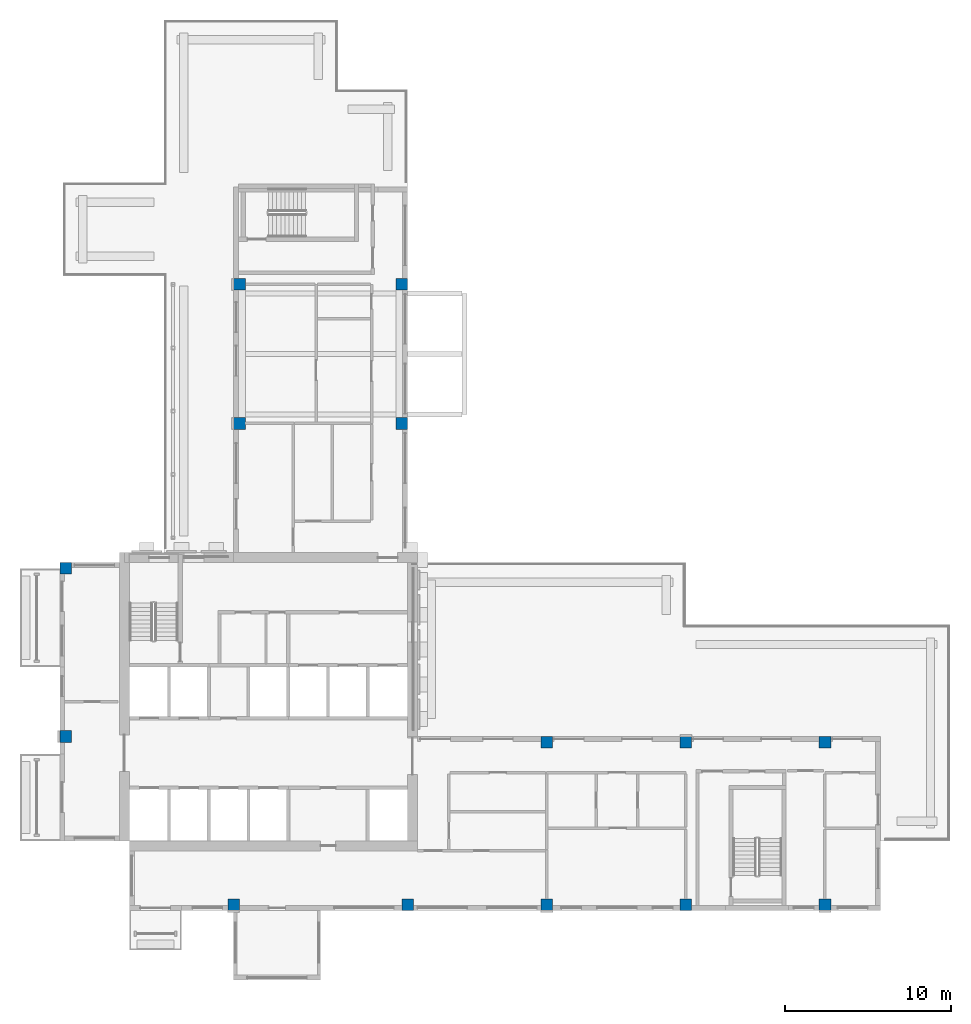
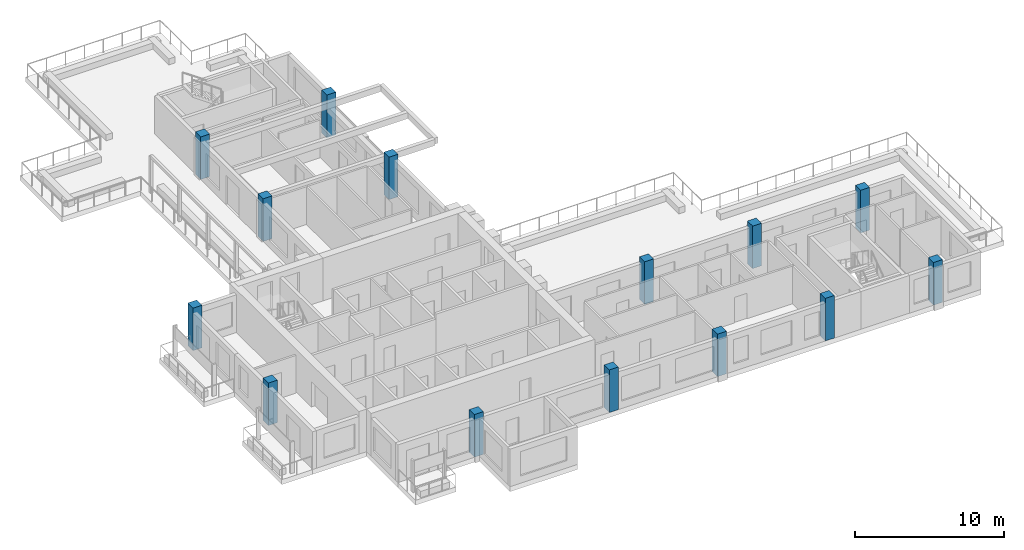
# One storey, part 1 of 12: 14 columns.
"""IFC4 building model written with IfcOpenShell, lengths in metres."""

from ifc_helpers import new_model, si_unit, direction, frame, origin, origin_2d, place, context, subcontext, project, spatial, rectangle, extrude, source, transform, mapped, material, material_profile, profile_set, type_object, element, save


model = new_model("IFC4")

# Units and contexts
model_context = context("Model", 3, precision=1e-05, world=origin(), true_north=direction((0.0, 1.0)))
body_context = subcontext(model_context, "Body", "Model", "MODEL_VIEW")
ifc_project = project(units=[si_unit("LENGTHUNIT", "METRE"), si_unit("AREAUNIT", "SQUARE_METRE"), si_unit("VOLUMEUNIT", "CUBIC_METRE"), si_unit("PLANEANGLEUNIT", "RADIAN"), si_unit("MASSUNIT", "GRAM", prefix="KILO")], contexts=[model_context])

# Site, building, storey
site_placement = place(None, origin())
site = spatial("IfcSite", under=ifc_project, at=site_placement, CompositionType="ELEMENT")
building_placement = place(site_placement, origin())
building = spatial("IfcBuilding", under=site, at=building_placement, Name="Aurelian Terraces", CompositionType="ELEMENT")
storey_placement = place(building_placement, frame((0.0, 0.0, 284.5)))
storey = spatial("IfcBuildingStorey", under=building, at=storey_placement, Name="L64", CompositionType="ELEMENT", Elevation=284.5)

# Columns
ifc_material = material(Name="Concrete fc' 55 MPa", Category="concrete")
ifc_material_profile = material_profile(ifc_material, rectangle(XDim=0.7, YDim=0.7, at=origin_2d()))
ifc_profile_set = profile_set([ifc_material_profile], Name="Concrete fc' 55 MPa")
column_type = type_object("IfcColumnType", Name="RC COLUMN 700X700 FC55", PredefinedType="COLUMN", material=ifc_profile_set)
column_placement = place(storey_placement, frame((10.5, 0.35, 0.0), z_axis=(0.0, 0.0, 1.0), x_axis=(1.0, 0.0, 0.0)))
element("IfcColumn", 1, at=column_placement, inside=storey, type_object=column_type, Name="Column 2/A L64", PredefinedType="COLUMN", context=body_context, shape_type="SweptSolid", body=[
    extrude(rectangle(XDim=0.7, YDim=0.7, at=origin_2d()), origin(), (0.0, 0.0, 1.0), 3.5),
])
shared_shape = source(origin(), body_context, "Body", "SweptSolid", [
    extrude(rectangle(XDim=0.7, YDim=0.7, at=origin_2d()), origin(), (0.0, 0.0, 1.0), 3.5),
])
for number, where, z_axis, x_axis, name in (
    (2, (21.0, 0.35, 0.0), (0.0, 0.0, 1.0), (1.0, 0.0, 0.0), "Column 3/A L64"),
    (3, (29.4, 0.35, 0.0), (0.0, 0.0, 1.0), (1.0, 0.0, 0.0), "Column 4/A L64"),
    (4, (37.8, 0.35, 0.0), (0.0, 0.0, 1.0), (1.0, 0.0, 0.0), "Column 5/A L64"),
    (5, (46.2, 0.35, 0.0), (0.0, 0.0, 1.0), (1.0, 0.0, 0.0), "Column 6/A L64"),
    (6, (0.35, 10.5, 0.0), (0.0, 0.0, 1.0), (1.0, 0.0, 0.0), "Column 1/B L64"),
    (7, (29.4, 10.15, 0.0), (0.0, 0.0, 1.0), (1.0, 0.0, 0.0), "Column 4/B L64"),
    (8, (37.8, 10.15, 0.0), (0.0, 0.0, 1.0), (1.0, 0.0, 0.0), "Column 5/B L64"),
    (9, (46.2, 10.15, 0.0), (0.0, 0.0, 1.0), (1.0, 0.0, 0.0), "Column 6/B L64"),
    (10, (0.35, 20.65, 0.0), (0.0, 0.0, 1.0), (1.0, 0.0, 0.0), "Column 1/C L64"),
    (11, (10.85, 29.4, 0.0), (0.0, 0.0, 1.0), (1.0, 0.0, 0.0), "Column 2/D L64"),
    (12, (20.65, 29.4, 0.0), (0.0, 0.0, 1.0), (1.0, 0.0, 0.0), "Column 3/D L64"),
    (13, (10.85, 37.8, 0.0), (0.0, 0.0, 1.0), (1.0, 0.0, 0.0), "Column 2/E L64"),
    (14, (20.65, 37.8, 0.0), (0.0, 0.0, 1.0), (1.0, 0.0, 0.0), "Column 3/E L64"),
):
    element("IfcColumn", number, at=place(storey_placement, frame(where, z_axis=z_axis, x_axis=x_axis)), inside=storey, type_object=column_type, Name=name, PredefinedType="COLUMN", context=body_context, shape_type="MappedRepresentation", body=[
        mapped(shared_shape, transform((0.0, 0.0, 0.0), scale=1.0)),
    ])

save(model, "model.ifc")
